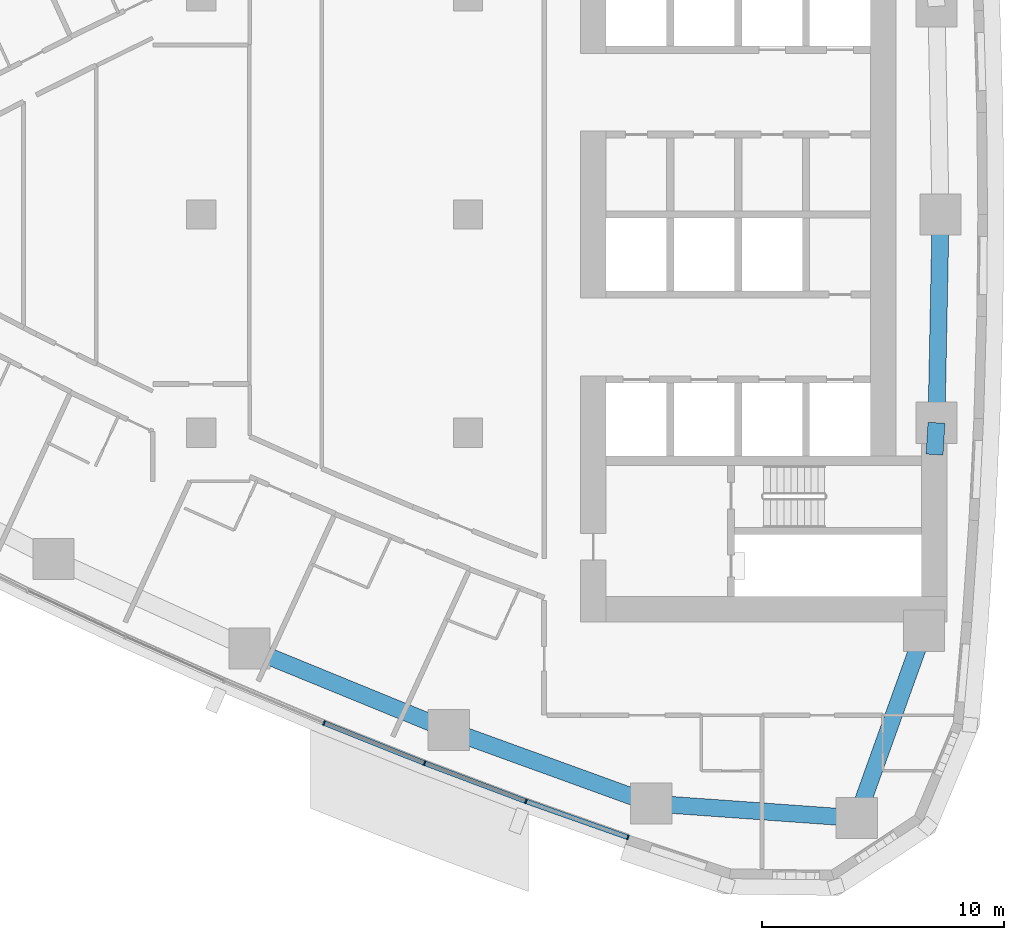
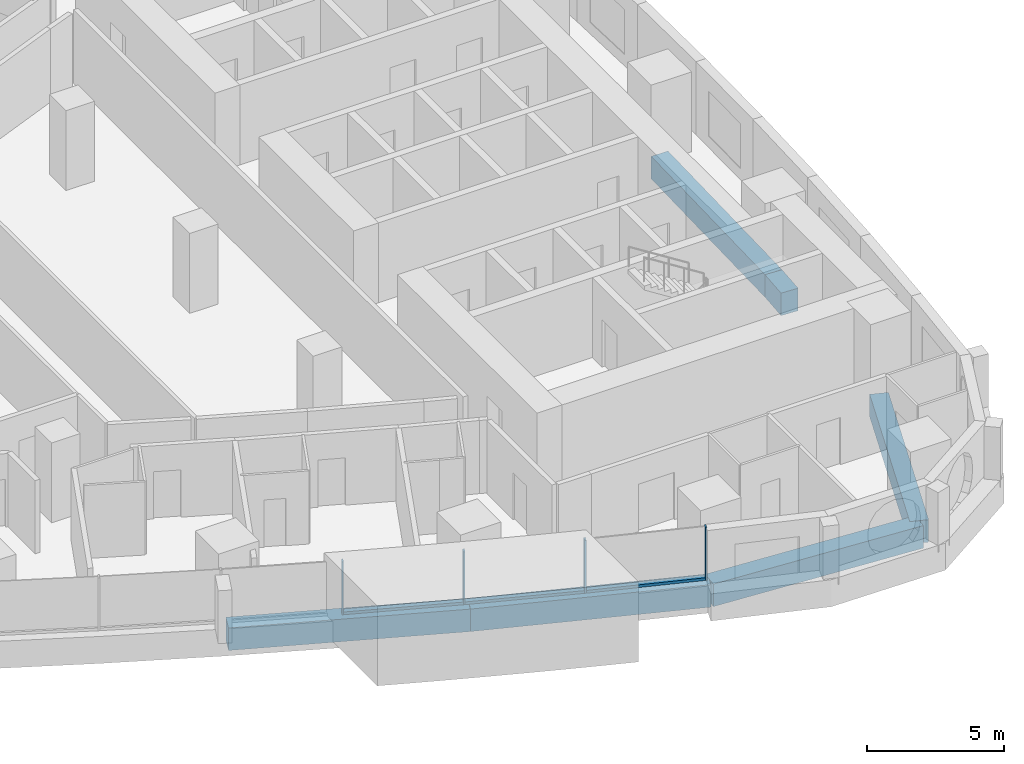
# One storey, part 4 of 17: 7 members, 6 beams, 2 elements without a shape of their own.
"""IFC4 building model written with IfcOpenShell, lengths in metres."""

from ifc_helpers import new_model, si_unit, direction, frame, origin, origin_2d, place, context, subcontext, project, spatial, rectangle, extrude, material, layer, layer_set, material_profile, profile_set, type_object, element, aggregate, save


model = new_model("IFC4")

# Units and contexts
model_context = context("Model", 3, precision=1e-05, world=origin(), true_north=direction((0.0, 1.0)))
body_context = subcontext(model_context, "Body", "Model", "MODEL_VIEW")
ifc_project = project(units=[si_unit("LENGTHUNIT", "METRE"), si_unit("AREAUNIT", "SQUARE_METRE"), si_unit("VOLUMEUNIT", "CUBIC_METRE"), si_unit("PLANEANGLEUNIT", "RADIAN"), si_unit("MASSUNIT", "GRAM", prefix="KILO")], contexts=[model_context])

# Site, building, storey
site_placement = place(None, origin())
site = spatial("IfcSite", under=ifc_project, at=site_placement, CompositionType="ELEMENT")
building_placement = place(site_placement, origin())
building = spatial("IfcBuilding", under=site, at=building_placement, Name="Ostrand Prow Hotel Tower", CompositionType="ELEMENT")
storey_placement = place(building_placement, frame((0.0, 0.0, 106.199951171875)))
storey = spatial("IfcBuildingStorey", under=building, at=storey_placement, Name="L25", CompositionType="ELEMENT", Elevation=106.199951171875)

# Beams
ifc_material_1 = material(Name="Concrete C80/95", Category="concrete")
ifc_material_profile_1 = material_profile(ifc_material_1, rectangle(XDim=0.699951171875, YDim=1.0, at=origin_2d()), Name="RC 700x1000")
ifc_profile_set_1 = profile_set([ifc_material_profile_1], Name="Concrete C80/95")
beam_type = type_object("IfcBeamType", Name="Edge beam 700x1000 C80/95", PredefinedType="SPANDREL", material=ifc_profile_set_1)
beam_1_placement = place(storey_placement, frame((35.98828125, -17.901611328125, -0.800048828125), z_axis=(0.925612172894, -0.378473387955, 0.0), x_axis=(0.378473387955, 0.925612172894, 0.0)))
element("IfcBeam", 1, at=beam_1_placement, inside=storey, type_object=beam_type, Name="Edge beam S4-S5", PredefinedType="SPANDREL", context=body_context, shape_type="SweptSolid", body=[
    extrude(rectangle(XDim=0.699951171875, YDim=1.0, at=origin_2d()), origin(), (0.0, 0.0, 1.0), 8.88330078125),
])
beam_2_placement = place(storey_placement, frame((44.210693359375, -21.263671875, -0.800048828125), z_axis=(0.940062739321, -0.341001533927, 0.0), x_axis=(0.341001533927, 0.940062739321, 0.0)))
element("IfcBeam", 2, at=beam_2_placement, inside=storey, type_object=beam_type, Name="Edge beam S5-S6", PredefinedType="SPANDREL", context=body_context, shape_type="SweptSolid", body=[
    extrude(rectangle(XDim=0.699951171875, YDim=1.0, at=origin_2d()), origin(), (0.0, 0.0, 1.0), 8.883544921875),
])
beam_3_placement = place(storey_placement, frame((52.561767578125, -24.29296875, -0.800048828125), z_axis=(0.99747195063, -0.071061295414, 0.0), x_axis=(0.071061295414, 0.99747195063, 0.0)))
element("IfcBeam", 3, at=beam_3_placement, inside=storey, type_object=beam_type, Name="Edge beam S6-SE", PredefinedType="SPANDREL", context=body_context, shape_type="SweptSolid", body=[
    extrude(rectangle(XDim=0.699951171875, YDim=1.0, at=origin_2d()), origin(), (0.0, 0.0, 1.0), 8.499755859375),
])
beam_4_placement = place(storey_placement, frame((61.0400390625, -24.89697265625, -0.800048828125), z_axis=(0.337815484063, 0.941212355809, 0.0), x_axis=(-0.941212355809, 0.337815484063, 0.0)))
element("IfcBeam", 4, at=beam_4_placement, inside=storey, type_object=beam_type, Name="Edge beam SE-B1", PredefinedType="SPANDREL", context=body_context, shape_type="SweptSolid", body=[
    extrude(rectangle(XDim=0.699951171875, YDim=1.0, at=origin_2d()), origin(), (0.0, 0.0, 1.0), 8.21630859375),
])
beam_5_placement = place(storey_placement, frame((64.25048828125, -9.89990234375, -0.800048828125), z_axis=(0.059658953766, 0.998218818314, 0.0), x_axis=(-0.998218818314, 0.059658953766, 0.0)))
element("IfcBeam", 5, at=beam_5_placement, inside=storey, type_object=beam_type, Name="Edge beam B1-B2", PredefinedType="SPANDREL", context=body_context, shape_type="SweptSolid", body=[
    extrude(rectangle(XDim=0.699951171875, YDim=1.0, at=origin_2d()), origin(), (0.0, 0.0, 1.0), 1.313720703125),
])
beam_6_placement = place(storey_placement, frame((64.328857421875, -8.588623046875, -0.800048828125), z_axis=(0.019922705812, 0.9998015232, 0.0), x_axis=(-0.9998015232, 0.019922705812, 0.0)))
element("IfcBeam", 6, at=beam_6_placement, inside=storey, type_object=beam_type, Name="Edge beam B2-B3", PredefinedType="SPANDREL", context=body_context, shape_type="SweptSolid", body=[
    extrude(rectangle(XDim=0.699951171875, YDim=1.0, at=origin_2d()), origin(), (0.0, 0.0, 1.0), 8.59033203125),
])

# Curtain wall, members
ifc_material_2 = material(Name="Insulated glass in bronze anodised frame", Category="glass")
ifc_layer = layer(ifc_material_2, 0.199951171875)
ifc_layer_set = layer_set([ifc_layer], Name="Insulated glass in bronze anodised frame")
curtain_wall_type = type_object("IfcCurtainWallType", Name="Strip curtain wall, fritted glass over bronze spandrel", PredefinedType="NOTDEFINED", material=ifc_layer_set)
curtain_wall_1_placement = place(storey_placement, origin())
curtain_wall_1 = element("IfcCurtainWall", 7, at=curtain_wall_1_placement, inside=storey, type_object=curtain_wall_type, Name="CW1 run CWS4", PredefinedType="NOTDEFINED")
ifc_material_3 = material(Name="Bronze anodised aluminium", Category="aluminium")
ifc_material_profile_2 = material_profile(ifc_material_3, rectangle(XDim=0.199951171875, YDim=0.06005859375, at=origin_2d()), Name="Mullion 60x200 bronze anodised aluminium")
ifc_profile_set_2 = profile_set([ifc_material_profile_2], Name="Bronze anodised aluminium")
member_type_1 = type_object("IfcMemberType", Name="Mullion 60x200 bronze anodised aluminium", PredefinedType="MULLION", material=ifc_profile_set_2)
member_1_placement = place(storey_placement, frame((39.06396484375, -20.97265625, 0.900146484375), z_axis=(0.0, 0.0, 1.0), x_axis=(0.370982121315, 0.928640008649, 0.0)))
member_1 = element("IfcMember", 8, at=member_1_placement, type_object=member_type_1, Name="CW1 mullion 2", PredefinedType="MULLION", context=body_context, shape_type="SweptSolid", body=[
    extrude(rectangle(XDim=0.199951171875, YDim=0.06005859375, at=origin_2d()), origin(), (0.0, 0.0, 1.0), 2.349853515625),
])
member_2_placement = place(storey_placement, frame((43.211181640625, -22.62939453125, 0.900146484375), z_axis=(0.0, 0.0, 1.0), x_axis=(0.370982121315, 0.928640008649, 0.0)))
member_2 = element("IfcMember", 9, at=member_2_placement, type_object=member_type_1, Name="CW1 mullion 3", PredefinedType="MULLION", context=body_context, shape_type="SweptSolid", body=[
    extrude(rectangle(XDim=0.199951171875, YDim=0.06005859375, at=origin_2d()), origin(), (0.0, 0.0, 1.0), 2.349853515625),
])

curtain_wall_2_placement = place(storey_placement, origin())
curtain_wall_2 = element("IfcCurtainWall", 10, at=curtain_wall_2_placement, inside=storey, type_object=curtain_wall_type, Name="CW1 run CWS5", PredefinedType="NOTDEFINED")
member_3_placement = place(storey_placement, frame((47.390869140625, -24.202880859375, 0.900146484375), z_axis=(0.0, 0.0, 1.0), x_axis=(0.333495894542, 0.942751551748, 0.0)))
member_3 = element("IfcMember", 11, at=member_3_placement, type_object=member_type_1, Name="CW1 mullion 2", PredefinedType="MULLION", context=body_context, shape_type="SweptSolid", body=[
    extrude(rectangle(XDim=0.199951171875, YDim=0.06005859375, at=origin_2d()), origin(), (0.0, 0.0, 1.0), 2.349853515625),
])
member_4_placement = place(storey_placement, frame((51.601318359375, -25.692138671875, 0.900146484375), z_axis=(0.0, 0.0, 1.0), x_axis=(0.333495894542, 0.942751551748, 0.0)))
member_4 = element("IfcMember", 12, at=member_4_placement, type_object=member_type_1, Name="CW1 mullion 3", PredefinedType="MULLION", context=body_context, shape_type="SweptSolid", body=[
    extrude(rectangle(XDim=0.199951171875, YDim=0.06005859375, at=origin_2d()), origin(), (0.0, 0.0, 1.0), 2.349853515625),
])

# Member
ifc_material_4 = material(Name="Bronze anodised aluminium", Category="aluminium")
ifc_material_profile_3 = material_profile(ifc_material_4, rectangle(XDim=0.199951171875, YDim=0.1201171875, at=origin_2d()), Name="Transom 120x200 bronze anodised aluminium")
ifc_profile_set_3 = profile_set([ifc_material_profile_3], Name="Bronze anodised aluminium")
member_type_2 = type_object("IfcMemberType", Name="Transom 120x200 bronze anodised aluminium", PredefinedType="USERDEFINED", material=ifc_profile_set_3)
member_5_placement = place(storey_placement, frame((39.091796875, -20.983642578125, 0.9599609375), z_axis=(0.928621833209, -0.371027614724, 0.0), x_axis=(0.371027614724, 0.928621833209, 0.0)))
member_5 = element("IfcMember", 13, at=member_5_placement, type_object=member_type_2, Name="CW1 transom 2.1", ObjectType="TRANSOM", PredefinedType="USERDEFINED", context=body_context, shape_type="SweptSolid", body=[
    extrude(rectangle(XDim=0.199951171875, YDim=0.1201171875, at=origin_2d()), origin(), (0.0, 0.0, 1.0), 4.406005859375),
])

aggregate(curtain_wall_1, [member_1, member_2, member_5])

member_6_placement = place(storey_placement, frame((43.2392578125, -22.639892578125, 0.9599609375), z_axis=(0.935868398429, -0.352349742191, 0.0), x_axis=(0.352349742191, 0.935868398429, 0.0)))
member_6 = element("IfcMember", 14, at=member_6_placement, type_object=member_type_2, Name="CW1 transom 1.1", ObjectType="TRANSOM", PredefinedType="USERDEFINED", context=body_context, shape_type="SweptSolid", body=[
    extrude(rectangle(XDim=0.199951171875, YDim=0.1201171875, at=origin_2d()), origin(), (0.0, 0.0, 1.0), 4.406005859375),
])

member_7_placement = place(storey_placement, frame((47.419189453125, -24.212890625, 0.9599609375), z_axis=(0.942763014139, -0.333463490013, 0.0), x_axis=(0.333463490013, 0.942763014139, 0.0)))
member_7 = element("IfcMember", 15, at=member_7_placement, type_object=member_type_2, Name="CW1 transom 2.1", ObjectType="TRANSOM", PredefinedType="USERDEFINED", context=body_context, shape_type="SweptSolid", body=[
    extrude(rectangle(XDim=0.199951171875, YDim=0.1201171875, at=origin_2d()), origin(), (0.0, 0.0, 1.0), 4.406005859375),
])

aggregate(curtain_wall_2, [member_3, member_4, member_6, member_7])

save(model, "model.ifc")
